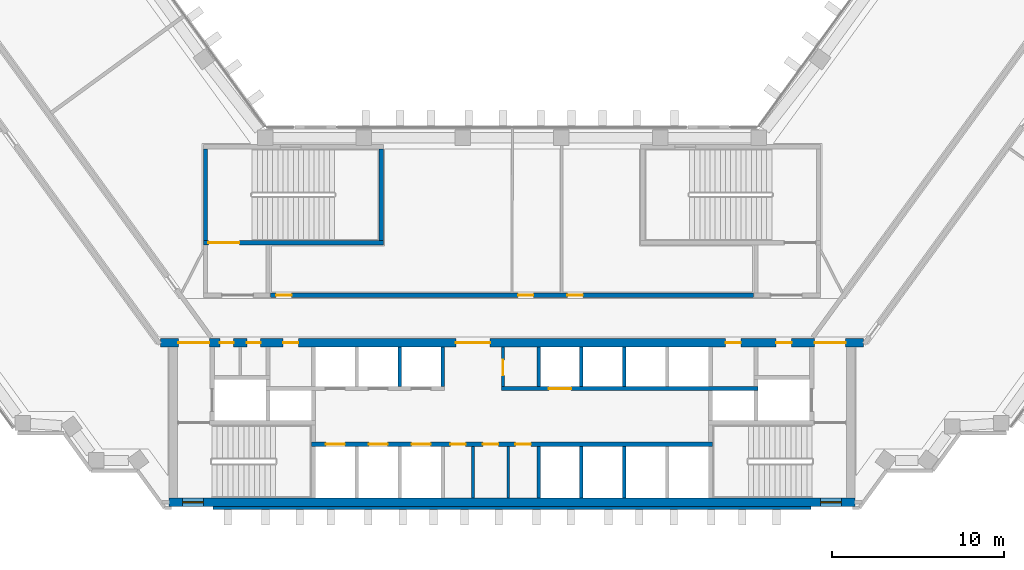
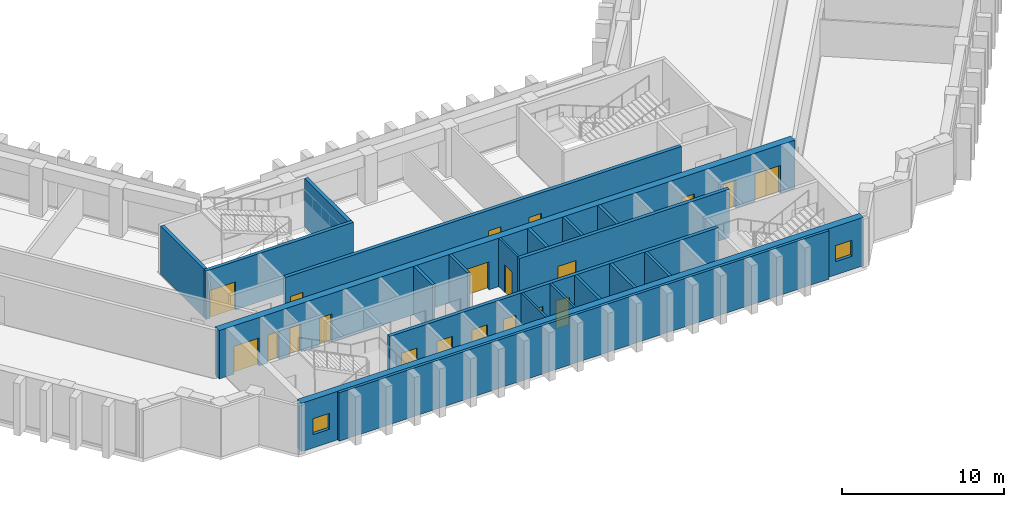
# One storey, part 8 of 15: 20 doors, 20 walls, 2 windows, 22 openings.
"""IFC4 building model written with IfcOpenShell, lengths in metres."""

from ifc_helpers import new_model, si_unit, direction, frame, frame_2d, origin, place, context, subcontext, project, spatial, rectangle, extrude, material, layer, layer_set, type_object, element, fill, save


model = new_model("IFC4")

# Units and contexts
model_context = context("Model", 3, precision=1e-05, world=origin(), true_north=direction((0.0, 1.0)))
body_context = subcontext(model_context, "Body", "Model", "MODEL_VIEW")
ifc_project = project(units=[si_unit("LENGTHUNIT", "METRE"), si_unit("AREAUNIT", "SQUARE_METRE"), si_unit("VOLUMEUNIT", "CUBIC_METRE"), si_unit("PLANEANGLEUNIT", "RADIAN"), si_unit("MASSUNIT", "GRAM", prefix="KILO")], contexts=[model_context])

# Site, building, storey
site_placement = place(None, origin())
site = spatial("IfcSite", under=ifc_project, at=site_placement, CompositionType="ELEMENT")
building_placement = place(site_placement, origin())
building = spatial("IfcBuilding", under=site, at=building_placement, Name="Quipu Civic Tower", CompositionType="ELEMENT")
storey_placement = place(building_placement, frame((0.0, 0.0, 31.0)))
storey = spatial("IfcBuildingStorey", under=building, at=storey_placement, Name="L06", CompositionType="ELEMENT", Elevation=31.0)

# Wall, openings, doors
ifc_material_1 = material(Name="Concrete C70/85", Category="concrete")
ifc_layer_1 = layer(ifc_material_1, 0.25)
ifc_layer_set_1 = layer_set([ifc_layer_1], Name="Concrete C70/85")
wall_type_1 = type_object("IfcWallType", Name="Core wall 250", PredefinedType="SHEAR", material=ifc_layer_set_1)
wall_1_placement = place(storey_placement, frame((11.699951171875, -7.375, 0.0), z_axis=(0.0, 0.0, 1.0), x_axis=(-1.0, 0.0, 0.0)))
wall_1 = element("IfcWall", 1, at=wall_1_placement, inside=storey, type_object=wall_type_1, Name="Core wall", PredefinedType="SHEAR", context=body_context, shape_type="SweptSolid", body=[
    extrude(rectangle(XDim=23.39990234375, YDim=0.25, at=frame_2d((11.699951171875, 0.0))), origin(), (0.0, 0.0, 1.0), 3.64990234375),
])
opening_1_placement = place(wall_1_placement, frame((21.449951171875, 0.0, 0.0)))
opening_1 = element("IfcOpeningElement", 2, at=opening_1_placement, cuts=wall_1, Name="Opening LD-LL1", PredefinedType="OPENING", context=body_context, shape_type="SweptSolid", body=[
    extrude(rectangle(XDim=1.10009765625, YDim=2.10009765625, at=frame_2d((0.550048828125, 1.050048828125))), frame((0.0, 0.135009765625, 0.0), z_axis=(0.0, -1.0, 0.0), x_axis=(1.0, 0.0, 0.0)), (0.0, 0.0, 1.0), 0.27001953125),
])
opening_2_placement = place(wall_1_placement, frame((18.949951171875, 0.0, 0.0)))
opening_2 = element("IfcOpeningElement", 3, at=opening_2_placement, cuts=wall_1, Name="Opening LD-LL2", PredefinedType="OPENING", context=body_context, shape_type="SweptSolid", body=[
    extrude(rectangle(XDim=1.10009765625, YDim=2.10009765625, at=frame_2d((0.550048828125, 1.050048828125))), frame((0.0, 0.135009765625, 0.0), z_axis=(0.0, -1.0, 0.0), x_axis=(1.0, 0.0, 0.0)), (0.0, 0.0, 1.0), 0.27001953125),
])
opening_3_placement = place(wall_1_placement, frame((16.449951171875, 0.0, 0.0)))
opening_3 = element("IfcOpeningElement", 4, at=opening_3_placement, cuts=wall_1, Name="Opening LD-LL3", PredefinedType="OPENING", context=body_context, shape_type="SweptSolid", body=[
    extrude(rectangle(XDim=1.10009765625, YDim=2.10009765625, at=frame_2d((0.550048828125, 1.050048828125))), frame((0.0, 0.135009765625, 0.0), z_axis=(0.0, -1.0, 0.0), x_axis=(1.0, 0.0, 0.0)), (0.0, 0.0, 1.0), 0.27001953125),
])
opening_4_placement = place(wall_1_placement, frame((14.39990234375, 0.0, 0.0)))
opening_4 = element("IfcOpeningElement", 5, at=opening_4_placement, cuts=wall_1, Name="Opening CD-01", PredefinedType="OPENING", context=body_context, shape_type="SweptSolid", body=[
    extrude(rectangle(XDim=0.89990234375, YDim=2.10009765625, at=frame_2d((0.449951171875, 1.050048828125))), frame((0.0, 0.135009765625, 0.0), z_axis=(0.0, -1.0, 0.0), x_axis=(1.0, 0.0, 0.0)), (0.0, 0.0, 1.0), 0.27001953125),
])
opening_5_placement = place(wall_1_placement, frame((12.5, 0.0, 0.0)))
opening_5 = element("IfcOpeningElement", 6, at=opening_5_placement, cuts=wall_1, Name="Opening CD-02", PredefinedType="OPENING", context=body_context, shape_type="SweptSolid", body=[
    extrude(rectangle(XDim=0.89990234375, YDim=2.10009765625, at=frame_2d((0.449951171875, 1.050048828125))), frame((0.0, 0.135009765625, 0.0), z_axis=(0.0, -1.0, 0.0), x_axis=(1.0, 0.0, 0.0)), (0.0, 0.0, 1.0), 0.27001953125),
])
opening_6_placement = place(wall_1_placement, frame((10.60009765625, 0.0, 0.0)))
opening_6 = element("IfcOpeningElement", 7, at=opening_6_placement, cuts=wall_1, Name="Opening CD-03", PredefinedType="OPENING", context=body_context, shape_type="SweptSolid", body=[
    extrude(rectangle(XDim=0.89990234375, YDim=2.10009765625, at=frame_2d((0.449951171875, 1.050048828125))), frame((0.0, 0.135009765625, 0.0), z_axis=(0.0, -1.0, 0.0), x_axis=(1.0, 0.0, 0.0)), (0.0, 0.0, 1.0), 0.27001953125),
])
ifc_material_2 = material(Name="Fire rated steel door", Category="steel")
door_type_1 = type_object("IfcDoorType", Name="Fire door FD60 900 x 2100", OperationType="NOTDEFINED", PredefinedType="DOOR", material=ifc_material_2)
door_1_placement = place(opening_4_placement, origin())
door_1 = element("IfcDoor", 8, at=door_1_placement, inside=storey, type_object=door_type_1, Name="WC door", OperationType="SINGLE_SWING_RIGHT", OverallHeight=2.10009765625, OverallWidth=0.89990234375, PredefinedType="DOOR", context=body_context, shape_type="SweptSolid", body=[
    extrude(rectangle(XDim=0.89990234375, YDim=2.10009765625, at=frame_2d((0.449951171875, 1.050048828125))), frame((0.0, 0.02490234375, 0.0), z_axis=(0.0, -1.0, 0.0), x_axis=(1.0, 0.0, 0.0)), (0.0, 0.0, 1.0), 0.050048828125),
])
fill(opening_4, door_1)
door_2_placement = place(opening_5_placement, origin())
door_2 = element("IfcDoor", 9, at=door_2_placement, inside=storey, type_object=door_type_1, Name="WC door", OperationType="SINGLE_SWING_RIGHT", OverallHeight=2.10009765625, OverallWidth=0.89990234375, PredefinedType="DOOR", context=body_context, shape_type="SweptSolid", body=[
    extrude(rectangle(XDim=0.89990234375, YDim=2.10009765625, at=frame_2d((0.449951171875, 1.050048828125))), frame((0.0, 0.02490234375, 0.0), z_axis=(0.0, -1.0, 0.0), x_axis=(1.0, 0.0, 0.0)), (0.0, 0.0, 1.0), 0.050048828125),
])
fill(opening_5, door_2)
door_3_placement = place(opening_6_placement, origin())
door_3 = element("IfcDoor", 10, at=door_3_placement, inside=storey, type_object=door_type_1, Name="WC door", OperationType="SINGLE_SWING_LEFT", OverallHeight=2.10009765625, OverallWidth=0.89990234375, PredefinedType="DOOR", context=body_context, shape_type="SweptSolid", body=[
    extrude(rectangle(XDim=0.89990234375, YDim=2.10009765625, at=frame_2d((0.449951171875, 1.050048828125))), frame((0.0, 0.02490234375, 0.0), z_axis=(0.0, -1.0, 0.0), x_axis=(1.0, 0.0, 0.0)), (0.0, 0.0, 1.0), 0.050048828125),
])
fill(opening_6, door_3)
ifc_material_3 = material(Name="Stainless steel", Category="steel")
door_type_2 = type_object("IfcDoorType", Name="Lift landing door 1100 x 2100", OperationType="DOUBLE_DOOR_SLIDING", PredefinedType="DOOR", material=ifc_material_3)
door_4_placement = place(opening_1_placement, origin())
door_4 = element("IfcDoor", 11, at=door_4_placement, inside=storey, type_object=door_type_2, Name="Landing door LL1", OperationType="DOUBLE_DOOR_SLIDING", OverallHeight=2.10009765625, OverallWidth=1.10009765625, PredefinedType="DOOR", context=body_context, shape_type="SweptSolid", body=[
    extrude(rectangle(XDim=1.10009765625, YDim=2.10009765625, at=frame_2d((0.550048828125, 1.050048828125))), frame((0.0, 0.02490234375, 0.0), z_axis=(0.0, -1.0, 0.0), x_axis=(1.0, 0.0, 0.0)), (0.0, 0.0, 1.0), 0.050048828125),
])
fill(opening_1, door_4)
door_5_placement = place(opening_2_placement, origin())
door_5 = element("IfcDoor", 12, at=door_5_placement, inside=storey, type_object=door_type_2, Name="Landing door LL2", OperationType="DOUBLE_DOOR_SLIDING", OverallHeight=2.10009765625, OverallWidth=1.10009765625, PredefinedType="DOOR", context=body_context, shape_type="SweptSolid", body=[
    extrude(rectangle(XDim=1.10009765625, YDim=2.10009765625, at=frame_2d((0.550048828125, 1.050048828125))), frame((0.0, 0.02490234375, 0.0), z_axis=(0.0, -1.0, 0.0), x_axis=(1.0, 0.0, 0.0)), (0.0, 0.0, 1.0), 0.050048828125),
])
fill(opening_2, door_5)
door_6_placement = place(opening_3_placement, origin())
door_6 = element("IfcDoor", 13, at=door_6_placement, inside=storey, type_object=door_type_2, Name="Landing door LL3", OperationType="DOUBLE_DOOR_SLIDING", OverallHeight=2.10009765625, OverallWidth=1.10009765625, PredefinedType="DOOR", context=body_context, shape_type="SweptSolid", body=[
    extrude(rectangle(XDim=1.10009765625, YDim=2.10009765625, at=frame_2d((0.550048828125, 1.050048828125))), frame((0.0, 0.02490234375, 0.0), z_axis=(0.0, -1.0, 0.0), x_axis=(1.0, 0.0, 0.0)), (0.0, 0.0, 1.0), 0.050048828125),
])
fill(opening_3, door_6)

# Wall, opening, door
wall_2_placement = place(storey_placement, frame((-0.60009765625, -4.125, 0.0), z_axis=(0.0, 0.0, 1.0), x_axis=(1.0, 0.0, 0.0)))
wall_2 = element("IfcWall", 14, at=wall_2_placement, inside=storey, type_object=wall_type_1, Name="Core wall", PredefinedType="SHEAR", context=body_context, shape_type="SweptSolid", body=[
    extrude(rectangle(XDim=14.9501953125, YDim=0.25, at=frame_2d((7.47509765625, 0.0))), origin(), (0.0, 0.0, 1.0), 3.64990234375),
])
opening_7_placement = place(wall_2_placement, frame((2.75, 0.0, 0.0)))
opening_7 = element("IfcOpeningElement", 15, at=opening_7_placement, cuts=wall_2, Name="Opening LD-FF3", PredefinedType="OPENING", context=body_context, shape_type="SweptSolid", body=[
    extrude(rectangle(XDim=1.300048828125, YDim=2.10009765625, at=frame_2d((0.64990234375, 1.050048828125))), frame((0.0, 0.135009765625, 0.0), z_axis=(0.0, -1.0, 0.0), x_axis=(1.0, 0.0, 0.0)), (0.0, 0.0, 1.0), 0.27001953125),
])
ifc_material_4 = material(Name="Stainless steel", Category="steel")
door_type_3 = type_object("IfcDoorType", Name="Lift landing door 1300 x 2100", OperationType="DOUBLE_DOOR_SLIDING", PredefinedType="DOOR", material=ifc_material_4)
door_7_placement = place(opening_7_placement, origin())
door_7 = element("IfcDoor", 16, at=door_7_placement, inside=storey, type_object=door_type_3, Name="Landing door FF3", OperationType="DOUBLE_DOOR_SLIDING", OverallHeight=2.10009765625, OverallWidth=1.300048828125, PredefinedType="DOOR", context=body_context, shape_type="SweptSolid", body=[
    extrude(rectangle(XDim=1.300048828125, YDim=2.10009765625, at=frame_2d((0.64990234375, 1.050048828125))), frame((0.0, 0.02490234375, 0.0), z_axis=(0.0, -1.0, 0.0), x_axis=(1.0, 0.0, 0.0)), (0.0, 0.0, 1.0), 0.050048828125),
])
fill(opening_7, door_7)

wall_3_placement = place(storey_placement, frame((-18.0, 4.375, 0.0), z_axis=(0.0, 0.0, 1.0), x_axis=(1.0, 0.0, 0.0)))
wall_3 = element("IfcWall", 17, at=wall_3_placement, inside=storey, type_object=wall_type_1, Name="Core wall", PredefinedType="SHEAR", context=body_context, shape_type="SweptSolid", body=[
    extrude(rectangle(XDim=10.5, YDim=0.25, at=frame_2d((5.25, 0.0))), origin(), (0.0, 0.0, 1.0), 3.64990234375),
])
opening_8_placement = place(wall_3_placement, frame((0.300048828125, 0.0, 0.0)))
opening_8 = element("IfcOpeningElement", 18, at=opening_8_placement, cuts=wall_3, Name="Opening CD-16", PredefinedType="OPENING", context=body_context, shape_type="SweptSolid", body=[
    extrude(rectangle(XDim=1.800048828125, YDim=2.10009765625, at=frame_2d((0.89990234375, 1.050048828125))), frame((0.0, 0.135009765625, 0.0), z_axis=(0.0, -1.0, 0.0), x_axis=(1.0, 0.0, 0.0)), (0.0, 0.0, 1.0), 0.27001953125),
])
ifc_material_5 = material(Name="Fire rated steel door", Category="steel")
door_type_4 = type_object("IfcDoorType", Name="Fire door FD90 double 1800 x 2100", OperationType="NOTDEFINED", PredefinedType="DOOR", material=ifc_material_5)
door_8_placement = place(opening_8_placement, origin())
door_8 = element("IfcDoor", 19, at=door_8_placement, inside=storey, type_object=door_type_4, Name="Door", OperationType="DOUBLE_DOOR_SINGLE_SWING", OverallHeight=2.10009765625, OverallWidth=1.800048828125, PredefinedType="DOOR", context=body_context, shape_type="SweptSolid", body=[
    extrude(rectangle(XDim=1.800048828125, YDim=2.10009765625, at=frame_2d((0.89990234375, 1.050048828125))), frame((0.0, 0.02490234375, 0.0), z_axis=(0.0, -1.0, 0.0), x_axis=(1.0, 0.0, 0.0)), (0.0, 0.0, 1.0), 0.050048828125),
])
fill(opening_8, door_8)

# Walls
for number, where, z_axis, x_axis, name in (
    (20, (-17.875, 4.5, 0.0), (0.0, 0.0, 1.0), (0.0, 1.0, 0.0), "Core wall"),
    (21, (-7.625, 4.5, 0.0), (0.0, 0.0, 1.0), (0.0, 1.0, 0.0), "Core wall"),
):
    element("IfcWall", number, at=place(storey_placement, frame(where, z_axis=z_axis, x_axis=x_axis)), inside=storey, type_object=wall_type_1, Name=name, PredefinedType="SHEAR", context=body_context, shape_type="SweptSolid", body=[
        extrude(rectangle(XDim=5.35009765625, YDim=0.25, at=frame_2d((2.675048828125, 0.0))), origin(), (0.0, 0.0, 1.0), 3.64990234375),
    ])

# Wall, openings, windows
ifc_material_6 = material(Name="Concrete C70/85", Category="concrete")
ifc_layer_2 = layer(ifc_material_6, 0.5)
ifc_layer_set_2 = layer_set([ifc_layer_2], Name="Concrete C70/85")
wall_type_2 = type_object("IfcWallType", Name="Core wall 500", PredefinedType="SHEAR", material=ifc_layer_set_2)
wall_4_placement = place(storey_placement, frame((-20.0, -10.75, 0.0), z_axis=(0.0, 0.0, 1.0), x_axis=(1.0, 0.0, 0.0)))
wall_4 = element("IfcWall", 22, at=wall_4_placement, inside=storey, type_object=wall_type_2, Name="Core wall", PredefinedType="SHEAR", context=body_context, shape_type="SweptSolid", body=[
    extrude(rectangle(XDim=40.0, YDim=0.5, at=frame_2d((20.0, 0.0))), origin(), (0.0, 0.0, 1.0), 3.64990234375),
])
opening_9_placement = place(wall_4_placement, frame((0.800048828125, 0.0, 1.0)))
opening_9 = element("IfcOpeningElement", 23, at=opening_9_placement, cuts=wall_4, Name="Opening SV-1", PredefinedType="OPENING", context=body_context, shape_type="SweptSolid", body=[
    extrude(rectangle(XDim=1.199951171875, YDim=1.199951171875, at=frame_2d((0.60009765625, 0.60009765625))), frame((0.0, 0.260009765625, 0.0), z_axis=(0.0, -1.0, 0.0), x_axis=(1.0, 0.0, 0.0)), (0.0, 0.0, 1.0), 0.52001953125),
])
opening_10_placement = place(wall_4_placement, frame((38.0, 0.0, 1.0)))
opening_10 = element("IfcOpeningElement", 24, at=opening_10_placement, cuts=wall_4, Name="Opening SV-2", PredefinedType="OPENING", context=body_context, shape_type="SweptSolid", body=[
    extrude(rectangle(XDim=1.199951171875, YDim=1.199951171875, at=frame_2d((0.60009765625, 0.60009765625))), frame((0.0, 0.260009765625, 0.0), z_axis=(0.0, -1.0, 0.0), x_axis=(1.0, 0.0, 0.0)), (0.0, 0.0, 1.0), 0.52001953125),
])
ifc_material_7 = material(Name="Aluminium louvre", Category="aluminium")
window_type = type_object("IfcWindowType", Name="Stair ventilation louvre 1200 x 1200", PartitioningType="SINGLE_PANEL", PredefinedType="WINDOW", material=ifc_material_7)
window_1_placement = place(opening_9_placement, origin())
window_1 = element("IfcWindow", 25, at=window_1_placement, inside=storey, type_object=window_type, Name="Stair ventilation opening", OverallHeight=1.199951171875, OverallWidth=1.199951171875, PartitioningType="SINGLE_PANEL", PredefinedType="WINDOW", context=body_context, shape_type="SweptSolid", body=[
    extrude(rectangle(XDim=1.199951171875, YDim=1.199951171875, at=frame_2d((0.60009765625, 0.60009765625))), frame((0.0, 0.030029296875, 0.0), z_axis=(0.0, -1.0, 0.0), x_axis=(1.0, 0.0, 0.0)), (0.0, 0.0, 1.0), 0.06005859375),
])
fill(opening_9, window_1)
window_2_placement = place(opening_10_placement, origin())
window_2 = element("IfcWindow", 26, at=window_2_placement, inside=storey, type_object=window_type, Name="Stair ventilation opening", OverallHeight=1.199951171875, OverallWidth=1.199951171875, PartitioningType="SINGLE_PANEL", PredefinedType="WINDOW", context=body_context, shape_type="SweptSolid", body=[
    extrude(rectangle(XDim=1.199951171875, YDim=1.199951171875, at=frame_2d((0.60009765625, 0.60009765625))), frame((0.0, 0.030029296875, 0.0), z_axis=(0.0, -1.0, 0.0), x_axis=(1.0, 0.0, 0.0)), (0.0, 0.0, 1.0), 0.06005859375),
])
fill(opening_10, window_2)

# Wall, openings, doors
wall_5_placement = place(storey_placement, frame((20.489990234375, -1.449951171875, 0.0), z_axis=(0.0, 0.0, 1.0), x_axis=(-1.0, 0.0, 0.0)))
wall_5 = element("IfcWall", 27, at=wall_5_placement, inside=storey, type_object=wall_type_2, Name="Core wall", PredefinedType="SHEAR", context=body_context, shape_type="SweptSolid", body=[
    extrude(rectangle(XDim=40.97998046875, YDim=0.5, at=frame_2d((20.489990234375, 0.0))), origin(), (0.0, 0.0, 1.0), 3.64990234375),
])
opening_11_placement = place(wall_5_placement, frame((38.139892578125, 0.0, 0.0)))
opening_11 = element("IfcOpeningElement", 28, at=opening_11_placement, cuts=wall_5, Name="Opening CD-07", PredefinedType="OPENING", context=body_context, shape_type="SweptSolid", body=[
    extrude(rectangle(XDim=1.800048828125, YDim=2.10009765625, at=frame_2d((0.89990234375, 1.050048828125))), frame((0.0, 0.260009765625, 0.0), z_axis=(0.0, -1.0, 0.0), x_axis=(1.0, 0.0, 0.0)), (0.0, 0.0, 1.0), 0.52001953125),
])
opening_12_placement = place(wall_5_placement, frame((36.7275390625, 0.0, 0.0)))
opening_12 = element("IfcOpeningElement", 29, at=opening_12_placement, cuts=wall_5, Name="Opening CD-08", PredefinedType="OPENING", context=body_context, shape_type="SweptSolid", body=[
    extrude(rectangle(XDim=0.800048828125, YDim=2.10009765625, at=frame_2d((0.39990234375, 1.050048828125))), frame((0.0, 0.260009765625, 0.0), z_axis=(0.0, -1.0, 0.0), x_axis=(1.0, 0.0, 0.0)), (0.0, 0.0, 1.0), 0.52001953125),
])
opening_13_placement = place(wall_5_placement, frame((35.152587890625, 0.0, 0.0)))
opening_13 = element("IfcOpeningElement", 30, at=opening_13_placement, cuts=wall_5, Name="Opening CD-09", PredefinedType="OPENING", context=body_context, shape_type="SweptSolid", body=[
    extrude(rectangle(XDim=0.800048828125, YDim=2.10009765625, at=frame_2d((0.39990234375, 1.050048828125))), frame((0.0, 0.260009765625, 0.0), z_axis=(0.0, -1.0, 0.0), x_axis=(1.0, 0.0, 0.0)), (0.0, 0.0, 1.0), 0.52001953125),
])
opening_14_placement = place(wall_5_placement, frame((32.93994140625, 0.0, 0.0)))
opening_14 = element("IfcOpeningElement", 31, at=opening_14_placement, cuts=wall_5, Name="Opening CD-10", PredefinedType="OPENING", context=body_context, shape_type="SweptSolid", body=[
    extrude(rectangle(XDim=0.89990234375, YDim=2.10009765625, at=frame_2d((0.449951171875, 1.050048828125))), frame((0.0, 0.260009765625, 0.0), z_axis=(0.0, -1.0, 0.0), x_axis=(1.0, 0.0, 0.0)), (0.0, 0.0, 1.0), 0.52001953125),
])
opening_15_placement = place(wall_5_placement, frame((21.764892578125, 0.0, 0.0)))
opening_15 = element("IfcOpeningElement", 32, at=opening_15_placement, cuts=wall_5, Name="Opening CD-11", PredefinedType="OPENING", context=body_context, shape_type="SweptSolid", body=[
    extrude(rectangle(XDim=2.0, YDim=2.10009765625, at=frame_2d((1.0, 1.050048828125))), frame((0.0, 0.260009765625, 0.0), z_axis=(0.0, -1.0, 0.0), x_axis=(1.0, 0.0, 0.0)), (0.0, 0.0, 1.0), 0.52001953125),
])
opening_16_placement = place(wall_5_placement, frame((7.139892578125, 0.0, 0.0)))
opening_16 = element("IfcOpeningElement", 33, at=opening_16_placement, cuts=wall_5, Name="Opening CD-12", PredefinedType="OPENING", context=body_context, shape_type="SweptSolid", body=[
    extrude(rectangle(XDim=0.89990234375, YDim=2.10009765625, at=frame_2d((0.449951171875, 1.050048828125))), frame((0.0, 0.260009765625, 0.0), z_axis=(0.0, -1.0, 0.0), x_axis=(1.0, 0.0, 0.0)), (0.0, 0.0, 1.0), 0.52001953125),
])
opening_17_placement = place(wall_5_placement, frame((4.18994140625, 0.0, 0.0)))
opening_17 = element("IfcOpeningElement", 34, at=opening_17_placement, cuts=wall_5, Name="Opening CD-13", PredefinedType="OPENING", context=body_context, shape_type="SweptSolid", body=[
    extrude(rectangle(XDim=0.89990234375, YDim=2.10009765625, at=frame_2d((0.449951171875, 1.050048828125))), frame((0.0, 0.260009765625, 0.0), z_axis=(0.0, -1.0, 0.0), x_axis=(1.0, 0.0, 0.0)), (0.0, 0.0, 1.0), 0.52001953125),
])
opening_18_placement = place(wall_5_placement, frame((1.0400390625, 0.0, 0.0)))
opening_18 = element("IfcOpeningElement", 35, at=opening_18_placement, cuts=wall_5, Name="Opening CD-14", PredefinedType="OPENING", context=body_context, shape_type="SweptSolid", body=[
    extrude(rectangle(XDim=1.800048828125, YDim=2.10009765625, at=frame_2d((0.89990234375, 1.050048828125))), frame((0.0, 0.260009765625, 0.0), z_axis=(0.0, -1.0, 0.0), x_axis=(1.0, 0.0, 0.0)), (0.0, 0.0, 1.0), 0.52001953125),
])
ifc_material_8 = material(Name="Fire rated steel door", Category="steel")
door_type_5 = type_object("IfcDoorType", Name="Fire door FD60 800 x 2100", OperationType="NOTDEFINED", PredefinedType="DOOR", material=ifc_material_8)
door_9_placement = place(opening_12_placement, origin())
door_9 = element("IfcDoor", 36, at=door_9_placement, inside=storey, type_object=door_type_5, Name="Door", OperationType="SINGLE_SWING_RIGHT", OverallHeight=2.10009765625, OverallWidth=0.800048828125, PredefinedType="DOOR", context=body_context, shape_type="SweptSolid", body=[
    extrude(rectangle(XDim=0.800048828125, YDim=2.10009765625, at=frame_2d((0.39990234375, 1.050048828125))), frame((0.0, 0.02490234375, 0.0), z_axis=(0.0, -1.0, 0.0), x_axis=(1.0, 0.0, 0.0)), (0.0, 0.0, 1.0), 0.050048828125),
])
fill(opening_12, door_9)
door_10_placement = place(opening_13_placement, origin())
door_10 = element("IfcDoor", 37, at=door_10_placement, inside=storey, type_object=door_type_5, Name="Door", OperationType="SINGLE_SWING_RIGHT", OverallHeight=2.10009765625, OverallWidth=0.800048828125, PredefinedType="DOOR", context=body_context, shape_type="SweptSolid", body=[
    extrude(rectangle(XDim=0.800048828125, YDim=2.10009765625, at=frame_2d((0.39990234375, 1.050048828125))), frame((0.0, 0.02490234375, 0.0), z_axis=(0.0, -1.0, 0.0), x_axis=(1.0, 0.0, 0.0)), (0.0, 0.0, 1.0), 0.050048828125),
])
fill(opening_13, door_10)
door_11_placement = place(opening_14_placement, origin())
door_11 = element("IfcDoor", 38, at=door_11_placement, inside=storey, type_object=door_type_1, Name="Riser door", OperationType="SINGLE_SWING_RIGHT", OverallHeight=2.10009765625, OverallWidth=0.89990234375, PredefinedType="DOOR", context=body_context, shape_type="SweptSolid", body=[
    extrude(rectangle(XDim=0.89990234375, YDim=2.10009765625, at=frame_2d((0.449951171875, 1.050048828125))), frame((0.0, 0.02490234375, 0.0), z_axis=(0.0, -1.0, 0.0), x_axis=(1.0, 0.0, 0.0)), (0.0, 0.0, 1.0), 0.050048828125),
])
fill(opening_14, door_11)
door_12_placement = place(opening_16_placement, origin())
door_12 = element("IfcDoor", 39, at=door_12_placement, inside=storey, type_object=door_type_1, Name="Riser door", OperationType="SINGLE_SWING_LEFT", OverallHeight=2.10009765625, OverallWidth=0.89990234375, PredefinedType="DOOR", context=body_context, shape_type="SweptSolid", body=[
    extrude(rectangle(XDim=0.89990234375, YDim=2.10009765625, at=frame_2d((0.449951171875, 1.050048828125))), frame((0.0, 0.02490234375, 0.0), z_axis=(0.0, -1.0, 0.0), x_axis=(1.0, 0.0, 0.0)), (0.0, 0.0, 1.0), 0.050048828125),
])
fill(opening_16, door_12)
door_13_placement = place(opening_17_placement, origin())
door_13 = element("IfcDoor", 40, at=door_13_placement, inside=storey, type_object=door_type_1, Name="Door", OperationType="SINGLE_SWING_LEFT", OverallHeight=2.10009765625, OverallWidth=0.89990234375, PredefinedType="DOOR", context=body_context, shape_type="SweptSolid", body=[
    extrude(rectangle(XDim=0.89990234375, YDim=2.10009765625, at=frame_2d((0.449951171875, 1.050048828125))), frame((0.0, 0.02490234375, 0.0), z_axis=(0.0, -1.0, 0.0), x_axis=(1.0, 0.0, 0.0)), (0.0, 0.0, 1.0), 0.050048828125),
])
fill(opening_17, door_13)
door_14_placement = place(opening_11_placement, origin())
door_14 = element("IfcDoor", 41, at=door_14_placement, inside=storey, type_object=door_type_4, Name="Lobby door", OperationType="DOUBLE_DOOR_SINGLE_SWING", OverallHeight=2.10009765625, OverallWidth=1.800048828125, PredefinedType="DOOR", context=body_context, shape_type="SweptSolid", body=[
    extrude(rectangle(XDim=1.800048828125, YDim=2.10009765625, at=frame_2d((0.89990234375, 1.050048828125))), frame((0.0, 0.02490234375, 0.0), z_axis=(0.0, -1.0, 0.0), x_axis=(1.0, 0.0, 0.0)), (0.0, 0.0, 1.0), 0.050048828125),
])
fill(opening_11, door_14)
door_15_placement = place(opening_18_placement, origin())
door_15 = element("IfcDoor", 42, at=door_15_placement, inside=storey, type_object=door_type_4, Name="Lobby door", OperationType="DOUBLE_DOOR_SINGLE_SWING", OverallHeight=2.10009765625, OverallWidth=1.800048828125, PredefinedType="DOOR", context=body_context, shape_type="SweptSolid", body=[
    extrude(rectangle(XDim=1.800048828125, YDim=2.10009765625, at=frame_2d((0.89990234375, 1.050048828125))), frame((0.0, 0.02490234375, 0.0), z_axis=(0.0, -1.0, 0.0), x_axis=(1.0, 0.0, 0.0)), (0.0, 0.0, 1.0), 0.050048828125),
])
fill(opening_18, door_15)
ifc_material_9 = material(Name="Fire rated steel door", Category="steel")
door_type_6 = type_object("IfcDoorType", Name="Fire door FD90 double 2000 x 2100", OperationType="NOTDEFINED", PredefinedType="DOOR", material=ifc_material_9)
door_16_placement = place(opening_15_placement, origin())
door_16 = element("IfcDoor", 43, at=door_16_placement, inside=storey, type_object=door_type_6, Name="Lobby door", OperationType="DOUBLE_DOOR_SINGLE_SWING", OverallHeight=2.10009765625, OverallWidth=2.0, PredefinedType="DOOR", context=body_context, shape_type="SweptSolid", body=[
    extrude(rectangle(XDim=2.0, YDim=2.10009765625, at=frame_2d((1.0, 1.050048828125))), frame((0.0, 0.02490234375, 0.0), z_axis=(0.0, -1.0, 0.0), x_axis=(1.0, 0.0, 0.0)), (0.0, 0.0, 1.0), 0.050048828125),
])
fill(opening_15, door_16)

ifc_material_10 = material(Name="Concrete C50/60", Category="concrete")
ifc_layer_3 = layer(ifc_material_10, 0.25)
ifc_layer_set_3 = layer_set([ifc_layer_3], Name="Concrete C50/60")
wall_type_3 = type_object("IfcWallType", Name="Corridor wall 250 concrete", PredefinedType="SOLIDWALL", material=ifc_layer_set_3)
wall_6_placement = place(storey_placement, frame((-14.090087890625, 1.324951171875, 0.0), z_axis=(0.0, 0.0, 1.0), x_axis=(1.0, 0.0, 0.0)))
wall_6 = element("IfcWall", 44, at=wall_6_placement, inside=storey, type_object=wall_type_3, Name="Corridor wall C05", PredefinedType="SOLIDWALL", context=body_context, shape_type="SweptSolid", body=[
    extrude(rectangle(XDim=28.18017578125, YDim=0.25, at=frame_2d((14.090087890625, 0.0))), origin(), (0.0, 0.0, 1.0), 3.64990234375),
])
opening_19_placement = place(wall_6_placement, frame((17.319091796875, 0.0, 0.0)))
opening_19 = element("IfcOpeningElement", 45, at=opening_19_placement, cuts=wall_6, Name="Opening D012", PredefinedType="OPENING", context=body_context, shape_type="SweptSolid", body=[
    extrude(rectangle(XDim=0.89990234375, YDim=2.10009765625, at=frame_2d((0.449951171875, 1.050048828125))), frame((0.0, 0.135009765625, 0.0), z_axis=(0.0, -1.0, 0.0), x_axis=(1.0, 0.0, 0.0)), (0.0, 0.0, 1.0), 0.27001953125),
])
opening_20_placement = place(wall_6_placement, frame((14.43994140625, 0.0, 0.0)))
opening_20 = element("IfcOpeningElement", 46, at=opening_20_placement, cuts=wall_6, Name="Opening D011", PredefinedType="OPENING", context=body_context, shape_type="SweptSolid", body=[
    extrude(rectangle(XDim=0.89990234375, YDim=2.10009765625, at=frame_2d((0.449951171875, 1.050048828125))), frame((0.0, 0.135009765625, 0.0), z_axis=(0.0, -1.0, 0.0), x_axis=(1.0, 0.0, 0.0)), (0.0, 0.0, 1.0), 0.27001953125),
])
opening_21_placement = place(wall_6_placement, frame((0.340087890625, 0.0, 0.0)))
opening_21 = element("IfcOpeningElement", 47, at=opening_21_placement, cuts=wall_6, Name="Opening D010", PredefinedType="OPENING", context=body_context, shape_type="SweptSolid", body=[
    extrude(rectangle(XDim=0.89990234375, YDim=2.10009765625, at=frame_2d((0.449951171875, 1.050048828125))), frame((0.0, 0.135009765625, 0.0), z_axis=(0.0, -1.0, 0.0), x_axis=(1.0, 0.0, 0.0)), (0.0, 0.0, 1.0), 0.27001953125),
])
ifc_material_11 = material(Name="Fire rated timber door set with metal frame", Category="wood")
door_type_7 = type_object("IfcDoorType", Name="Single door 900 x 2100 FD60", OperationType="NOTDEFINED", PredefinedType="DOOR", material=ifc_material_11)
door_17_placement = place(opening_19_placement, origin())
door_17 = element("IfcDoor", 48, at=door_17_placement, inside=storey, type_object=door_type_7, Name="Door D012", OperationType="SINGLE_SWING_LEFT", OverallHeight=2.10009765625, OverallWidth=0.89990234375, PredefinedType="DOOR", context=body_context, shape_type="SweptSolid", body=[
    extrude(rectangle(XDim=0.89990234375, YDim=2.10009765625, at=frame_2d((0.449951171875, 1.050048828125))), frame((0.0, 0.02490234375, 0.0), z_axis=(0.0, -1.0, 0.0), x_axis=(1.0, 0.0, 0.0)), (0.0, 0.0, 1.0), 0.050048828125),
])
fill(opening_19, door_17)
door_18_placement = place(opening_20_placement, origin())
door_18 = element("IfcDoor", 49, at=door_18_placement, inside=storey, type_object=door_type_7, Name="Door D011", OperationType="SINGLE_SWING_LEFT", OverallHeight=2.10009765625, OverallWidth=0.89990234375, PredefinedType="DOOR", context=body_context, shape_type="SweptSolid", body=[
    extrude(rectangle(XDim=0.89990234375, YDim=2.10009765625, at=frame_2d((0.449951171875, 1.050048828125))), frame((0.0, 0.02490234375, 0.0), z_axis=(0.0, -1.0, 0.0), x_axis=(1.0, 0.0, 0.0)), (0.0, 0.0, 1.0), 0.050048828125),
])
fill(opening_20, door_18)
door_19_placement = place(opening_21_placement, origin())
door_19 = element("IfcDoor", 50, at=door_19_placement, inside=storey, type_object=door_type_7, Name="Door D010", OperationType="SINGLE_SWING_LEFT", OverallHeight=2.10009765625, OverallWidth=0.89990234375, PredefinedType="DOOR", context=body_context, shape_type="SweptSolid", body=[
    extrude(rectangle(XDim=0.89990234375, YDim=2.10009765625, at=frame_2d((0.449951171875, 1.050048828125))), frame((0.0, 0.02490234375, 0.0), z_axis=(0.0, -1.0, 0.0), x_axis=(1.0, 0.0, 0.0)), (0.0, 0.0, 1.0), 0.050048828125),
])
fill(opening_21, door_19)

# Walls
ifc_material_12 = material(Name="Gypsum board partition")
ifc_layer_4 = layer(ifc_material_12, 0.14990234375)
ifc_layer_set_4 = layer_set([ifc_layer_4], Name="Gypsum board partition")
wall_type_4 = type_object("IfcWallType", Name="Partition 150", PredefinedType="PARTITIONING", material=ifc_layer_set_4)
for number, where, z_axis, x_axis, name in (
    (51, (-2.27490234375, -10.5, 0.0), (0.0, 0.0, 1.0), (0.0, 1.0, 0.0), "Partition"),
    (52, (-0.22509765625, -10.5, 0.0), (0.0, 0.0, 1.0), (0.0, 1.0, 0.0), "Partition"),
):
    element("IfcWall", number, at=place(storey_placement, frame(where, z_axis=z_axis, x_axis=x_axis)), inside=storey, type_object=wall_type_4, Name=name, PredefinedType="PARTITIONING", context=body_context, shape_type="SweptSolid", body=[
        extrude(rectangle(XDim=3.0, YDim=0.14990234375, at=frame_2d((1.5, 0.0))), origin(), (0.0, 0.0, 1.0), 3.64990234375),
    ])

# Wall, opening, door
wall_7_placement = place(storey_placement, frame((-0.52490234375, -4.0, 0.0), z_axis=(0.0, 0.0, 1.0), x_axis=(0.0, 1.0, 0.0)))
wall_7 = element("IfcWall", 53, at=wall_7_placement, inside=storey, type_object=wall_type_4, Name="Partition", PredefinedType="PARTITIONING", context=body_context, shape_type="SweptSolid", body=[
    extrude(rectangle(XDim=2.300048828125, YDim=0.14990234375, at=frame_2d((1.14990234375, 0.0))), origin(), (0.0, 0.0, 1.0), 3.64990234375),
])
opening_22_placement = place(wall_7_placement, frame((0.64990234375, 0.0, 0.0)))
opening_22 = element("IfcOpeningElement", 54, at=opening_22_placement, cuts=wall_7, Name="Opening CD-06", PredefinedType="OPENING", context=body_context, shape_type="SweptSolid", body=[
    extrude(rectangle(XDim=0.89990234375, YDim=2.10009765625, at=frame_2d((0.449951171875, 1.050048828125))), frame((0.0, 0.0849609375, 0.0), z_axis=(0.0, -1.0, 0.0), x_axis=(1.0, 0.0, 0.0)), (0.0, 0.0, 1.0), 0.169921875),
])
door_20_placement = place(opening_22_placement, origin())
door_20 = element("IfcDoor", 55, at=door_20_placement, inside=storey, type_object=door_type_1, Name="WC door", OperationType="SINGLE_SWING_LEFT", OverallHeight=2.10009765625, OverallWidth=0.89990234375, PredefinedType="DOOR", context=body_context, shape_type="SweptSolid", body=[
    extrude(rectangle(XDim=0.89990234375, YDim=2.10009765625, at=frame_2d((0.449951171875, 1.050048828125))), frame((0.0, 0.02490234375, 0.0), z_axis=(0.0, -1.0, 0.0), x_axis=(1.0, 0.0, 0.0)), (0.0, 0.0, 1.0), 0.050048828125),
])
fill(opening_22, door_20)

# Walls
ifc_material_13 = material(Name="Precast concrete C40/50", Category="concrete")
wall_type_5 = type_object("IfcWallType", Name="Precast cladding wall", PredefinedType="SOLIDWALL", material=ifc_material_13)
wall_8_placement = place(storey_placement, frame((-17.44384765625, -11.087890625, 0.0), z_axis=(0.0, 0.0, 1.0), x_axis=(1.0, 0.0, 0.0)))
element("IfcWall", 56, at=wall_8_placement, inside=storey, type_object=wall_type_5, Name="Precast cladding wall L06 10", PredefinedType="SOLIDWALL", context=body_context, shape_type="SweptSolid", body=[
    extrude(rectangle(XDim=34.8876953125, YDim=0.199951171875, at=frame_2d((17.44384765625, 0.0))), origin(), (0.0, 0.0, 1.0), 3.64990234375),
])
ifc_material_14 = material(Name="Concrete C40/50", Category="concrete")
ifc_layer_5 = layer(ifc_material_14, 0.199951171875)
ifc_layer_set_5 = layer_set([ifc_layer_5], Name="Concrete C40/50")
wall_type_6 = type_object("IfcWallType", Name="Shaft wall 200", PredefinedType="SOLIDWALL", material=ifc_layer_set_5)
for number, where, z_axis, x_axis, name in (
    (57, (1.550048828125, -10.5, 0.0), (0.0, 0.0, 1.0), (0.0, 1.0, 0.0), "Shaft wall"),
    (58, (4.050048828125, -10.5, 0.0), (0.0, 0.0, 1.0), (0.0, 1.0, 0.0), "Shaft wall"),
    (59, (6.550048828125, -10.5, 0.0), (0.0, 0.0, 1.0), (0.0, 1.0, 0.0), "Shaft wall"),
):
    element("IfcWall", number, at=place(storey_placement, frame(where, z_axis=z_axis, x_axis=x_axis)), inside=storey, type_object=wall_type_6, Name=name, PredefinedType="SOLIDWALL", context=body_context, shape_type="SweptSolid", body=[
        extrude(rectangle(XDim=3.0, YDim=0.199951171875, at=frame_2d((1.5, 0.0))), origin(), (0.0, 0.0, 1.0), 3.64990234375),
    ])
for number, where, z_axis, x_axis, name in (
    (60, (-6.550048828125, -4.0, 0.0), (0.0, 0.0, 1.0), (0.0, 1.0, 0.0), "Shaft wall"),
    (61, (-4.050048828125, -4.0, 0.0), (0.0, 0.0, 1.0), (0.0, 1.0, 0.0), "Shaft wall"),
    (62, (1.550048828125, -4.0, 0.0), (0.0, 0.0, 1.0), (0.0, 1.0, 0.0), "Shaft wall"),
    (63, (4.050048828125, -4.0, 0.0), (0.0, 0.0, 1.0), (0.0, 1.0, 0.0), "Shaft wall"),
    (64, (6.550048828125, -4.0, 0.0), (0.0, 0.0, 1.0), (0.0, 1.0, 0.0), "Shaft wall"),
):
    element("IfcWall", number, at=place(storey_placement, frame(where, z_axis=z_axis, x_axis=x_axis)), inside=storey, type_object=wall_type_6, Name=name, PredefinedType="SOLIDWALL", context=body_context, shape_type="SweptSolid", body=[
        extrude(rectangle(XDim=2.300048828125, YDim=0.199951171875, at=frame_2d((1.14990234375, 0.0))), origin(), (0.0, 0.0, 1.0), 3.64990234375),
    ])

save(model, "model.ifc")
